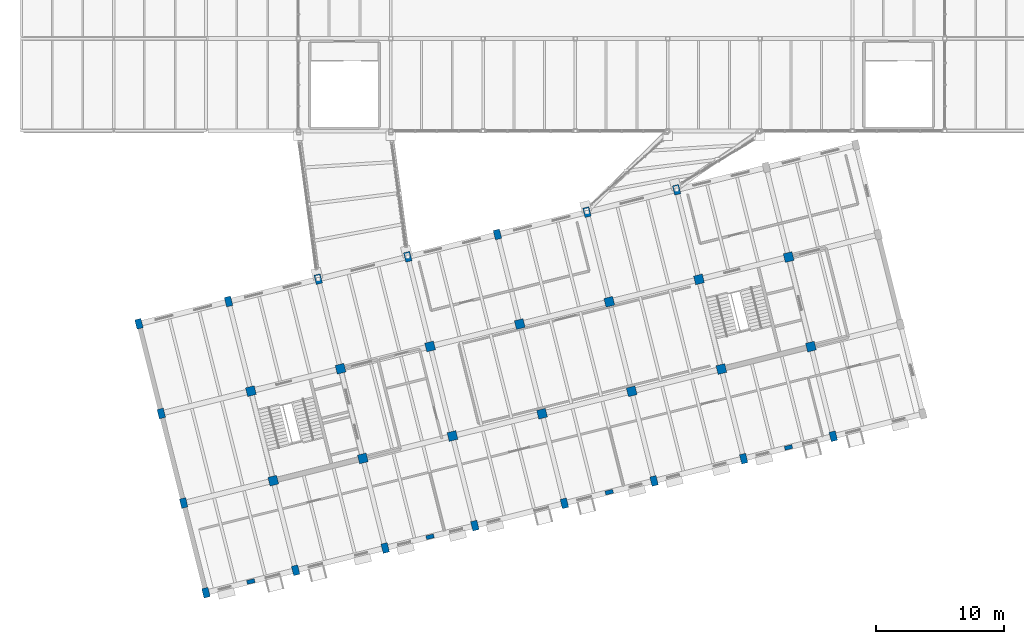
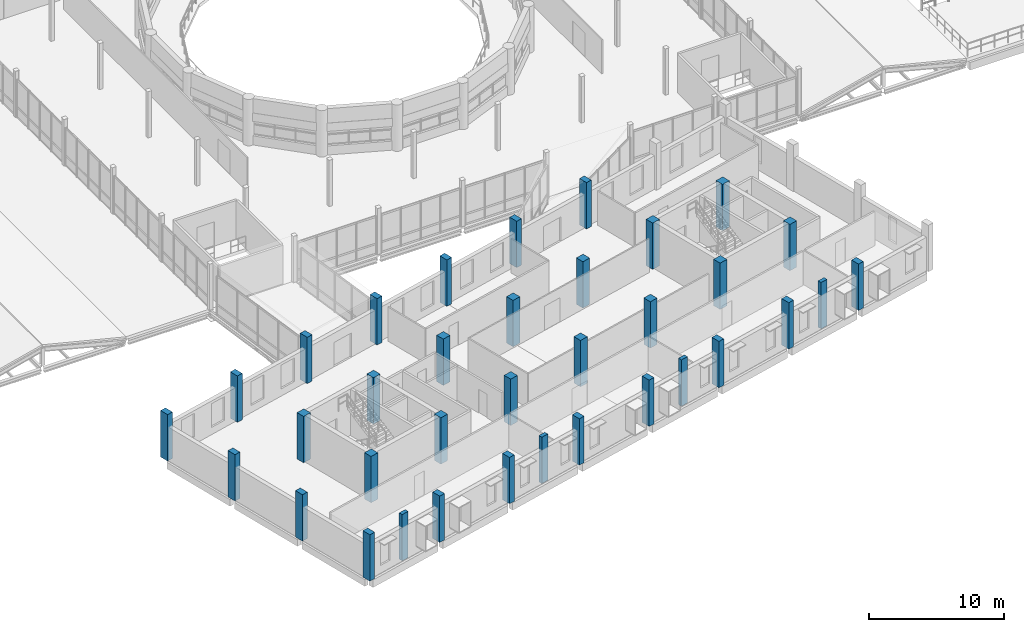
# One storey, part 1 of 63: 35 columns.
"""IFC4 building model written with IfcOpenShell, lengths in metres."""

from ifc_helpers import new_model, si_unit, direction, frame, origin, origin_2d, place, context, subcontext, project, spatial, rectangle, extrude, material, material_profile, profile_set, type_object, element, save


model = new_model("IFC4")

# Units and contexts
model_context = context("Model", 3, precision=1e-05, world=origin(), true_north=direction((0.0, 1.0)))
body_context = subcontext(model_context, "Body", "Model", "MODEL_VIEW")
ifc_project = project(units=[si_unit("LENGTHUNIT", "METRE"), si_unit("AREAUNIT", "SQUARE_METRE"), si_unit("VOLUMEUNIT", "CUBIC_METRE"), si_unit("PLANEANGLEUNIT", "RADIAN"), si_unit("MASSUNIT", "GRAM", prefix="KILO")], contexts=[model_context])

# Site, building, storey
site_placement = place(None, origin())
site = spatial("IfcSite", under=ifc_project, at=site_placement, CompositionType="ELEMENT")
building_placement = place(site_placement, origin())
building = spatial("IfcBuilding", under=site, at=building_placement, Name="Qiaolan Assembly House", CompositionType="ELEMENT")
storey_placement = place(building_placement, frame((0.0, 0.0, 14.39990234375)))
storey = spatial("IfcBuildingStorey", under=building, at=storey_placement, Name="L03", CompositionType="ELEMENT", Elevation=14.39990234375)

# Columns
ifc_material_1 = material(Name="Concrete C40/50", Category="concrete")
ifc_material_profile_1 = material_profile(ifc_material_1, rectangle(XDim=0.699951171875, YDim=0.699951171875, at=origin_2d()), Name="RC 700x700")
ifc_profile_set_1 = profile_set([ifc_material_profile_1], Name="Concrete C40/50")
column_type_1 = type_object("IfcColumnType", Name="COL-RC-700", PredefinedType="COLUMN", material=ifc_profile_set_1)
for number, where, z_axis, x_axis, name in (
    (1, (41.244384765625, 8.72802734375, 0.0), (0.0, 0.0, 1.0), (0.970295726276, 0.2419218956, 0.0), "RC-07 splayed column SE L03"),
    (2, (39.50244140625, 15.714111328125, 0.0), (0.0, 0.0, 1.0), (0.970295726276, 0.2419218956, 0.0), "RC-07 splayed column SE L03"),
    (3, (48.23046875, 10.4697265625, 0.0), (0.0, 0.0, 1.0), (0.970295726276, 0.2419218956, 0.0), "RC-07 splayed column SE L03"),
    (4, (46.488525390625, 17.4560546875, 0.0), (0.0, 0.0, 1.0), (0.970295726276, 0.2419218956, 0.0), "RC-07 splayed column SE L03"),
    (5, (55.216552734375, 12.211669921875, 0.0), (0.0, 0.0, 1.0), (0.970295726276, 0.2419218956, 0.0), "RC-07 splayed column SE L03"),
    (6, (53.474609375, 19.19775390625, 0.0), (0.0, 0.0, 1.0), (0.970295726276, 0.2419218956, 0.0), "RC-07 splayed column SE L03"),
    (7, (62.20263671875, 13.953369140625, 0.0), (0.0, 0.0, 1.0), (0.970295726276, 0.2419218956, 0.0), "RC-07 splayed column SE L03"),
    (8, (60.4609375, 20.939697265625, 0.0), (0.0, 0.0, 1.0), (0.970295726276, 0.2419218956, 0.0), "RC-07 splayed column SE L03"),
    (9, (69.188720703125, 15.6953125, 0.0), (0.0, 0.0, 1.0), (0.970295726276, 0.2419218956, 0.0), "RC-07 splayed column SE L03"),
    (10, (67.447021484375, 22.681396484375, 0.0), (0.0, 0.0, 1.0), (0.970295726276, 0.2419218956, 0.0), "RC-07 splayed column SE L03"),
    (11, (76.175048828125, 17.437255859375, 0.0), (0.0, 0.0, 1.0), (0.970295726276, 0.2419218956, 0.0), "RC-07 splayed column SE L03"),
    (12, (74.43310546875, 24.42333984375, 0.0), (0.0, 0.0, 1.0), (0.970295726276, 0.2419218956, 0.0), "RC-07 splayed column SE L03"),
    (13, (83.1611328125, 19.178955078125, 0.0), (0.0, 0.0, 1.0), (0.970295726276, 0.2419218956, 0.0), "RC-07 splayed column SE L03"),
    (14, (81.419189453125, 26.1650390625, 0.0), (0.0, 0.0, 1.0), (0.970295726276, 0.2419218956, 0.0), "RC-07 splayed column SE L03"),
):
    element("IfcColumn", number, at=place(storey_placement, frame(where, z_axis=z_axis, x_axis=x_axis)), inside=storey, type_object=column_type_1, Name=name, PredefinedType="COLUMN", context=body_context, shape_type="SweptSolid", body=[
        extrude(rectangle(XDim=0.699951171875, YDim=0.699951171875, at=origin_2d()), origin(), (0.0, 0.0, 1.0), 4.2001953125),
    ])
ifc_material_2 = material(Name="Concrete C45/55", Category="concrete")
ifc_material_profile_2 = material_profile(ifc_material_2, rectangle(XDim=0.5, YDim=0.75, at=origin_2d()), Name="RC 750x500")
ifc_profile_set_2 = profile_set([ifc_material_profile_2], Name="Concrete C45/55")
column_type_2 = type_object("IfcColumnType", Name="COL-RC-750x500", PredefinedType="COLUMN", material=ifc_profile_set_2)
for number, where, z_axis, x_axis, name in (
    (15, (36.0, 0.0, 0.0), (0.0, 0.0, 1.0), (0.970295726276, 0.2419218956, 0.0), "RC-15 splayed column SE L03"),
    (16, (34.258056640625, 6.986083984375, 0.0), (0.0, 0.0, 1.0), (0.970295726276, 0.2419218956, 0.0), "RC-15 splayed column SE L03"),
    (17, (32.516357421875, 13.97216796875, 0.0), (0.0, 0.0, 1.0), (0.970295726276, 0.2419218956, 0.0), "RC-15 splayed column SE L03"),
    (18, (30.7744140625, 20.95849609375, 0.0), (0.0, 0.0, 1.0), (0.970295726276, 0.2419218956, 0.0), "RC-15 splayed column SE L03"),
    (19, (42.986083984375, 1.741943359375, 0.0), (0.0, 0.0, 1.0), (0.970295726276, 0.2419218956, 0.0), "RC-15 splayed column SE L03"),
    (20, (37.760498046875, 22.7001953125, 0.0), (0.0, 0.0, 1.0), (0.970295726276, 0.2419218956, 0.0), "RC-15 splayed column SE L03"),
    (21, (49.97216796875, 3.483642578125, 0.0), (0.0, 0.0, 1.0), (0.970295726276, 0.2419218956, 0.0), "RC-15 splayed column SE L03"),
    (22, (44.746826171875, 24.442138671875, 0.0), (0.0, 0.0, 1.0), (0.970295726276, 0.2419218956, 0.0), "RC-15 splayed column SE L03"),
    (23, (56.95849609375, 5.2255859375, 0.0), (0.0, 0.0, 1.0), (0.970295726276, 0.2419218956, 0.0), "RC-15 splayed column SE L03"),
    (24, (51.73291015625, 26.183837890625, 0.0), (0.0, 0.0, 1.0), (0.970295726276, 0.2419218956, 0.0), "RC-15 splayed column SE L03"),
    (25, (63.944580078125, 6.96728515625, 0.0), (0.0, 0.0, 1.0), (0.970295726276, 0.2419218956, 0.0), "RC-15 splayed column SE L03"),
    (26, (58.718994140625, 27.92578125, 0.0), (0.0, 0.0, 1.0), (0.970295726276, 0.2419218956, 0.0), "RC-15 splayed column SE L03"),
    (27, (70.9306640625, 8.709228515625, 0.0), (0.0, 0.0, 1.0), (0.970295726276, 0.2419218956, 0.0), "RC-15 splayed column SE L03"),
    (28, (65.705078125, 29.66748046875, 0.0), (0.0, 0.0, 1.0), (0.970295726276, 0.2419218956, 0.0), "RC-15 splayed column SE L03"),
    (29, (77.916748046875, 10.450927734375, 0.0), (0.0, 0.0, 1.0), (0.970295726276, 0.2419218956, 0.0), "RC-15 splayed column SE L03"),
    (30, (72.691162109375, 31.409423828125, 0.0), (0.0, 0.0, 1.0), (0.970295726276, 0.2419218956, 0.0), "RC-15 splayed column SE L03"),
    (31, (84.90283203125, 12.19287109375, 0.0), (0.0, 0.0, 1.0), (0.970295726276, 0.2419218956, 0.0), "RC-15 splayed column SE L03"),
):
    element("IfcColumn", number, at=place(storey_placement, frame(where, z_axis=z_axis, x_axis=x_axis)), inside=storey, type_object=column_type_2, Name=name, PredefinedType="COLUMN", context=body_context, shape_type="SweptSolid", body=[
        extrude(rectangle(XDim=0.5, YDim=0.75, at=origin_2d()), origin(), (0.0, 0.0, 1.0), 4.2001953125),
    ])
ifc_material_3 = material(Name="Precast concrete C45/55", Category="concrete")
ifc_material_profile_3 = material_profile(ifc_material_3, rectangle(XDim=0.610107421875, YDim=0.320068359375, at=origin_2d()), Name="PIL 610x320")
ifc_profile_set_3 = profile_set([ifc_material_profile_3], Name="Precast concrete C45/55")
column_type_3 = type_object("IfcColumnType", Name="PIL-SE-610x320", PredefinedType="PILASTER", material=ifc_profile_set_3)
for number, where, z_axis, x_axis, name in (
    (32, (39.4931640625, 0.870849609375, 0.0), (0.0, 0.0, 1.0), (0.970295726276, 0.2419218956, 0.0), "PL-08 boulevard pilaster SE L03"),
    (33, (53.46533203125, 4.3544921875, 0.0), (0.0, 0.0, 1.0), (0.970295726276, 0.2419218956, 0.0), "PL-08 boulevard pilaster SE L03"),
    (34, (67.4375, 7.83837890625, 0.0), (0.0, 0.0, 1.0), (0.970295726276, 0.2419218956, 0.0), "PL-08 boulevard pilaster SE L03"),
    (35, (81.409912109375, 11.322021484375, 0.0), (0.0, 0.0, 1.0), (0.970295726276, 0.2419218956, 0.0), "PL-08 boulevard pilaster SE L03"),
):
    element("IfcColumn", number, at=place(storey_placement, frame(where, z_axis=z_axis, x_axis=x_axis)), inside=storey, type_object=column_type_3, Name=name, PredefinedType="PILASTER", context=body_context, shape_type="SweptSolid", body=[
        extrude(rectangle(XDim=0.610107421875, YDim=0.320068359375, at=origin_2d()), origin(), (0.0, 0.0, 1.0), 4.2001953125),
    ])

save(model, "model.ifc")
